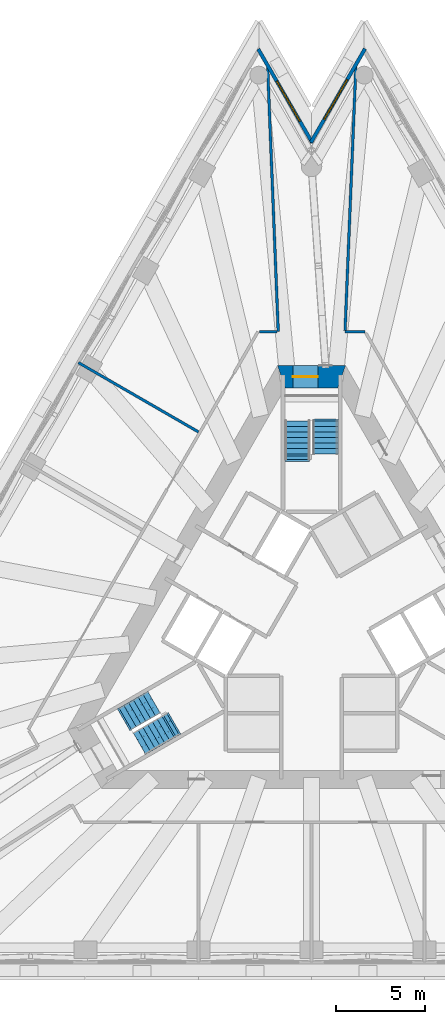
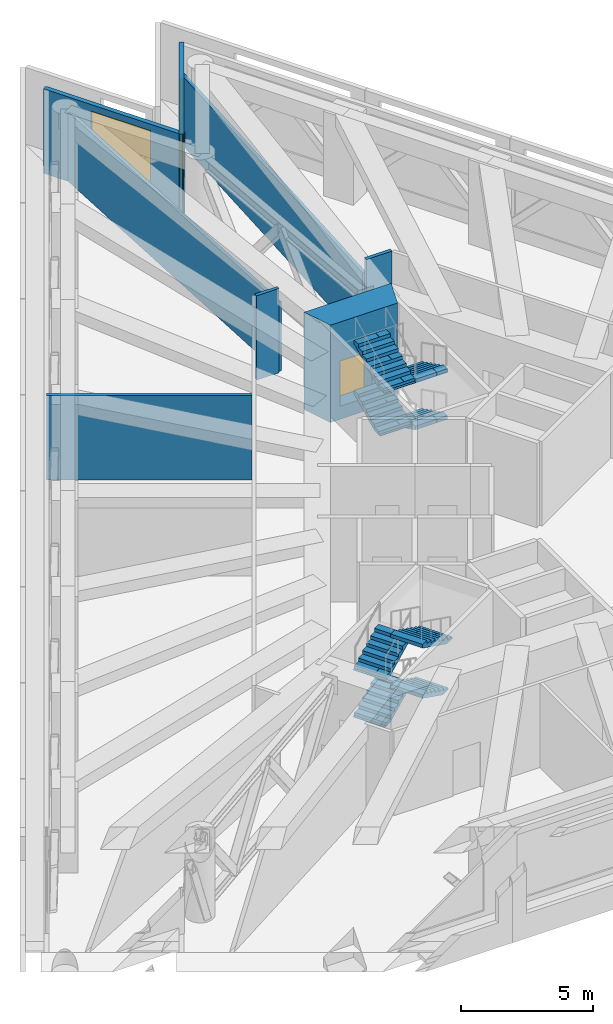
# One storey, part 9 of 12: 8 stair flights, 8 walls, 2 windows, 1 door, 3 openings, 2 elements without a shape of their own.
"""IFC4 building model written with IfcOpenShell, lengths in metres."""

import ifcopenshell
import ifcopenshell.guid

model = None  # the IFC model being written
_history = None  # IfcOwnerHistory: only IFC2X3 demands one
_inside = {}  # id of a spatial element -> (the spatial element, [elements in it])
_under = {}  # id of a project, library or spatial element -> (it, [spatial elements below it])
_declared = {}  # id of a project -> (the project, [libraries it declares])
_typed = {}  # id of a type object -> (the type object, [elements of that type])
_made_of = {}  # id of a material, layer set ... -> (it, [elements and type objects made of it])


def new_model(schema):
    """Start an empty IFC model of exactly this schema.

    Asked for "IFC4X3", IfcOpenShell would pick the latest addendum, in which some entities
    have other attributes; the version numbers below select the first issue.
    IFC2X3 requires an IfcOwnerHistory on every rooted entity: one is made here for all.
    """
    global model, _history
    if schema == "IFC4X3":
        model = ifcopenshell.file(schema_version=(4, 3, 0, 0))
    else:
        model = ifcopenshell.file(schema=schema)
    _inside.clear()
    _under.clear()
    _declared.clear()
    _typed.clear()
    _made_of.clear()
    _history = None
    if model.schema == "IFC2X3":
        org = make("IfcOrganization", Name="unknown")
        user = make(
            "IfcPersonAndOrganization",
            ThePerson=make("IfcPerson", FamilyName="unknown"),
            TheOrganization=org,
        )
        app = make(
            "IfcApplication",
            ApplicationDeveloper=org,
            Version="unknown",
            ApplicationFullName="unknown",
            ApplicationIdentifier="unknown",
        )
        _history = make(
            "IfcOwnerHistory",
            OwningUser=user,
            OwningApplication=app,
            ChangeAction="ADDED",
            CreationDate=0,
        )
    return model


def make(cls, **values):
    """One entity of the class cls with the attributes given. An attribute that is None is left unset."""
    return model.create_entity(
        cls, **{name: value for name, value in values.items() if value is not None}
    )


def rooted(cls, **values):
    """An entity with a GlobalId (a new one), such as an element, a storey or a relation."""
    return make(cls, GlobalId=ifcopenshell.guid.new(), OwnerHistory=_history, **values)


def si_unit(unit_type, name, prefix=None):
    """IfcSIUnit, for example si_unit("LENGTHUNIT", "METRE", prefix="MILLI")."""
    return make("IfcSIUnit", UnitType=unit_type, Prefix=prefix, Name=name)


def assignment(units):
    """IfcUnitAssignment: the units of a project."""
    return None if units is None else make("IfcUnitAssignment", Units=units)


def point(xyz):
    """IfcCartesianPoint."""
    return None if xyz is None else make("IfcCartesianPoint", Coordinates=xyz)


def direction(xyz):
    """IfcDirection."""
    return None if xyz is None else make("IfcDirection", DirectionRatios=xyz)


def frame(location, z_axis=None, x_axis=None):
    """IfcAxis2Placement3D, a coordinate frame: its origin and axes. An axis left out is left unset."""
    return make(
        "IfcAxis2Placement3D",
        Location=point(location),
        Axis=direction(z_axis),
        RefDirection=direction(x_axis),
    )


def frame_2d(location, x_axis=None):
    """IfcAxis2Placement2D, a coordinate frame in the plane: its origin and x axis."""
    return make(
        "IfcAxis2Placement2D", Location=point(location), RefDirection=direction(x_axis)
    )


def origin():
    """The frame at (0, 0, 0) with its axes left unset."""
    return frame((0.0, 0.0, 0.0))


def place(relative_to, where):
    """IfcLocalPlacement: puts the frame where relative to a parent placement (None: the world)."""
    return make(
        "IfcLocalPlacement", PlacementRelTo=relative_to, RelativePlacement=where
    )


def context(
    kind, dimensions, precision=None, world=None, true_north=None, identifier=None
):
    """IfcGeometricRepresentationContext, for example the 3D "Model" context."""
    return make(
        "IfcGeometricRepresentationContext",
        ContextIdentifier=identifier,
        ContextType=kind,
        CoordinateSpaceDimension=dimensions,
        Precision=precision,
        WorldCoordinateSystem=world,
        TrueNorth=true_north,
    )


def subcontext(parent, identifier, kind, view, scale=None):
    """IfcGeometricRepresentationSubContext, for example "Body" below "Model"."""
    return make(
        "IfcGeometricRepresentationSubContext",
        ContextIdentifier=identifier,
        ContextType=kind,
        ParentContext=parent,
        TargetScale=scale,
        TargetView=view,
    )


def project(units=None, contexts=None):
    """IfcProject with its units and contexts."""
    return rooted(
        "IfcProject",
        Name="project",
        RepresentationContexts=contexts,
        UnitsInContext=assignment(units),
    )


def spatial(cls, under=None, at=None, **own):
    """A site, building, storey or space (cls), placed at a placement, below another one or the project."""
    s = rooted(cls, ObjectPlacement=at, **own)
    if under is not None:
        _under.setdefault(under.id(), (under, []))[1].append(s)
    return s


def polyline(points):
    """IfcPolyline through the points."""
    return make("IfcPolyline", Points=[point(p) for p in points])


def profile(cls, at=None, kind="AREA", **sizes):
    """A parametric profile (cls). Its sizes go by their IFC names, for example OverallWidth=200.0."""
    return make(cls, ProfileType=kind, Position=at, **sizes)


def rectangle(**sizes):
    """IfcRectangleProfileDef."""
    return profile("IfcRectangleProfileDef", **sizes)


def outline(outer, holes=None, kind="AREA"):
    """IfcArbitraryClosedProfileDef: a profile drawn as a closed curve; with holes, ...WithVoids."""
    if holes is None:
        return make("IfcArbitraryClosedProfileDef", ProfileType=kind, OuterCurve=outer)
    return make(
        "IfcArbitraryProfileDefWithVoids",
        ProfileType=kind,
        OuterCurve=outer,
        InnerCurves=holes,
    )


def extrude(swept, where, along, depth):
    """IfcExtrudedAreaSolid: the profile swept, set in the frame where, extruded along a direction by depth."""
    return make(
        "IfcExtrudedAreaSolid",
        SweptArea=swept,
        Position=where,
        ExtrudedDirection=direction(along),
        Depth=depth,
    )


def shape(context_of_items, identifier, shape_type, items):
    """IfcShapeRepresentation: the items that make up one representation, for example the "Body"."""
    return make(
        "IfcShapeRepresentation",
        ContextOfItems=context_of_items,
        RepresentationIdentifier=identifier,
        RepresentationType=shape_type,
        Items=items,
    )


def material(Name=None, Category=None):
    """IfcMaterial."""
    return make("IfcMaterial", Name=Name, Category=Category)


def layer(
    of_material, thickness, ventilated=None, Name=None, Category=None, Priority=None
):
    """IfcMaterialLayer: one layer of a wall or slab, of a material (None: an air gap)."""
    return make(
        "IfcMaterialLayer",
        Material=of_material,
        LayerThickness=thickness,
        IsVentilated=ventilated,
        Name=Name,
        Category=Category,
        Priority=Priority,
    )


def layer_set(layers, Name=None):
    """IfcMaterialLayerSet."""
    return make("IfcMaterialLayerSet", MaterialLayers=layers, LayerSetName=Name)


def layer_usage(for_layer_set, set_direction, sense, offset, extent=None):
    """IfcMaterialLayerSetUsage: how a layer set lies in its element."""
    return make(
        "IfcMaterialLayerSetUsage",
        ForLayerSet=for_layer_set,
        LayerSetDirection=set_direction,
        DirectionSense=sense,
        OffsetFromReferenceLine=offset,
        ReferenceExtent=extent,
    )


def made_of(thing, what):
    """Note that an element or type object is made of a material, layer set ...; save() writes the relation."""
    if what is not None:
        _made_of.setdefault(what.id(), (what, []))[1].append(thing)
    return thing


def type_object(cls, material=None, **own):
    """A type object (cls), such as IfcWallType, which elements share."""
    return made_of(rooted(cls, **own), material)


def element(
    cls,
    number,
    at=None,
    inside=None,
    cuts=None,
    type_object=None,
    material=None,
    context=None,
    identifier="Body",
    shape_type=None,
    held_by="IfcProductDefinitionShape",
    body=None,
    shapes=None,
    **own,
):
    """One element of the class cls, such as IfcWall. Its Tag is "e" and its number.

    at: its placement. inside: the storey or other place that contains it. cuts: it is an
    opening in that element (IfcRelVoidsElement). A single representation is given by context,
    identifier, shape_type and body (its items); several are given by shapes. held_by: the class
    of the entity that holds the representations. save() writes the other relations.
    """
    e = rooted(cls, Tag="e%d" % number, ObjectPlacement=at, **own)
    if body is not None:
        shapes = [shape(context, identifier, shape_type, body)]
    if shapes is not None:
        e.Representation = make(held_by, Representations=shapes)
    if inside is not None:
        _inside.setdefault(inside.id(), (inside, []))[1].append(e)
    if cuts is not None:
        rooted(
            "IfcRelVoidsElement", RelatingBuildingElement=cuts, RelatedOpeningElement=e
        )
    if type_object is not None:
        _typed.setdefault(type_object.id(), (type_object, []))[1].append(e)
    return made_of(e, material)


def fill(opening, filler):
    """IfcRelFillsElement: the door or window that sits in an opening."""
    return rooted(
        "IfcRelFillsElement",
        RelatingOpeningElement=opening,
        RelatedBuildingElement=filler,
    )


def aggregate(whole, parts):
    """IfcRelAggregates: a whole, such as a stair, and the parts it consists of."""
    return rooted("IfcRelAggregates", RelatingObject=whole, RelatedObjects=parts)


def save(model, path):
    """Write the relations noted so far, then the file.

    IfcRelAggregates (storeys below a building ...), IfcRelContainedInSpatialStructure (elements
    in a storey), IfcRelDefinesByType, IfcRelAssociatesMaterial and IfcRelDeclares: one each for
    every whole, place, type object, material and project.
    """
    for whole, parts in _under.values():
        aggregate(whole, parts)
    for where, things in _inside.values():
        rooted(
            "IfcRelContainedInSpatialStructure",
            RelatedElements=things,
            RelatingStructure=where,
        )
    for kind, things in _typed.values():
        rooted("IfcRelDefinesByType", RelatedObjects=things, RelatingType=kind)
    for what, things in _made_of.values():
        rooted("IfcRelAssociatesMaterial", RelatedObjects=things, RelatingMaterial=what)
    for by, libraries in _declared.values():
        rooted("IfcRelDeclares", RelatingContext=by, RelatedDefinitions=libraries)
    model.write(path)


model = new_model("IFC4")

# Units and contexts
model_context = context("Model", 3, precision=1e-05, world=origin(), true_north=direction((0.0, 1.0)))
body_context = subcontext(model_context, "Body", "Model", "MODEL_VIEW")
ifc_project = project(units=[si_unit("LENGTHUNIT", "METRE"), si_unit("AREAUNIT", "SQUARE_METRE"), si_unit("VOLUMEUNIT", "CUBIC_METRE"), si_unit("PLANEANGLEUNIT", "RADIAN"), si_unit("MASSUNIT", "GRAM", prefix="KILO")], contexts=[model_context])

# Site, building, storey
site_placement = place(None, origin())
site = spatial("IfcSite", under=ifc_project, at=site_placement, CompositionType="ELEMENT")
building_placement = place(site_placement, origin())
building = spatial("IfcBuilding", under=site, at=building_placement, Name="Triada Interchange Tower", CompositionType="ELEMENT")
storey_placement = place(building_placement, frame((0.0, 0.0, 180.800048828125)))
storey = spatial("IfcBuildingStorey", under=building, at=storey_placement, Name="L42", CompositionType="ELEMENT", Elevation=180.800048828125)

# Wall, opening, door
ifc_material_1 = material(Name="Concrete C60/75", Category="concrete")
ifc_layer_1 = layer(ifc_material_1, 1.25)
ifc_layer_set_1 = layer_set([ifc_layer_1], Name="Core wall B 1250")
wall_type_1 = type_object("IfcWallType", Name="Core wall B 1250", PredefinedType="SHEAR", material=ifc_layer_set_1)
wall_1_placement = place(storey_placement, frame((1.68896484375, 14.074951171875, -0.60009765625), z_axis=(0.0, 0.0, 1.0), x_axis=(-1.0, 0.0, 0.0)))
wall_1 = element("IfcWall", 1, at=wall_1_placement, inside=storey, type_object=wall_type_1, Name="Core wall WB01 L42", PredefinedType="SHEAR", context=body_context, shape_type="SweptSolid", body=[
    extrude(outline(polyline([(-0.216064453125, -0.625), (1.68896484375, -0.625), (3.593994140625, -0.625), (3.160888671875, 0.625), (1.68896484375, 0.625), (0.217041015625, 0.625), (-0.216064453125, -0.625)])), origin(), (0.0, 0.0, 1.0), 4.5),
])
opening_1_placement = place(wall_1_placement, frame((1.3359375, 0.0, 0.60009765625)))
opening_1 = element("IfcOpeningElement", 2, at=opening_1_placement, cuts=wall_1, Name="Opening D42-15", PredefinedType="OPENING", context=body_context, shape_type="SweptSolid", body=[
    extrude(rectangle(XDim=1.39990234375, YDim=2.10009765625, at=frame_2d((0.699951171875, 1.050048828125))), frame((0.0, 0.635009765625, 0.0), z_axis=(0.0, -1.0, 0.0), x_axis=(1.0, 0.0, 0.0)), (0.0, 0.0, 1.0), 1.27001953125),
])
ifc_material_2 = material(Name="Steel S235 door leaf", Category="steel")
door_type = type_object("IfcDoorType", Name="STAIR DOOR 1400 EI2 90-C5S200", OperationType="DOUBLE_DOOR_SINGLE_SWING", PredefinedType="DOOR", material=ifc_material_2)
door_placement = place(opening_1_placement, origin())
door = element("IfcDoor", 3, at=door_placement, inside=storey, type_object=door_type, Name="Door D42-15 L42", OperationType="DOUBLE_DOOR_SINGLE_SWING", OverallHeight=2.10009765625, OverallWidth=1.39990234375, PredefinedType="DOOR", context=body_context, shape_type="SweptSolid", body=[
    extrude(rectangle(XDim=1.39990234375, YDim=2.10009765625, at=frame_2d((0.699951171875, 1.050048828125))), frame((0.0, 0.02490234375, 0.0), z_axis=(0.0, -1.0, 0.0), x_axis=(1.0, 0.0, 0.0)), (0.0, 0.0, 1.0), 0.050048828125),
])
fill(opening_1, door)

# Wall, opening, window
ifc_material_3 = material(Name="Cement board")
ifc_layer_2 = layer(ifc_material_3, 0.02001953125, Name="Cement board cladding")
ifc_material_4 = material(Name="Sheathing board")
ifc_layer_3 = layer(ifc_material_4, 0.014892578125, Name="Sheathing board")
ifc_material_5 = material(Name="Mineral wool")
ifc_layer_4 = layer(ifc_material_5, 0.14990234375, Name="Mineral wool between steel studs")
ifc_material_6 = material(Name="Gypsum board")
ifc_layer_5 = layer(ifc_material_6, 0.014892578125, Name="Plasterboard lining")
ifc_layer_set_2 = layer_set([ifc_layer_2, ifc_layer_3, ifc_layer_4, ifc_layer_5], Name="External wall 200")
ifc_layer_usage = layer_usage(ifc_layer_set_2, "AXIS2", "POSITIVE", -0.10009765625)
wall_type_2 = type_object("IfcWallType", Name="External wall 200", PredefinedType="ELEMENTEDWALL", material=ifc_layer_set_2)
wall_2_placement = place(storey_placement, frame((2.9990234375, 32.462890625, 0.0), z_axis=(0.0, 0.0, 1.0), x_axis=(-0.499933722365, -0.866063665814, 0.0)))
wall_2 = element("IfcWall", 4, at=wall_2_placement, inside=storey, type_object=wall_type_2, material=ifc_layer_usage, Name="External wall L42 N-1", PredefinedType="ELEMENTEDWALL", context=body_context, shape_type="SweptSolid", body=[
    extrude(rectangle(XDim=6.068603515625, YDim=0.199951171875, at=frame_2d((3.0341796875, 0.0))), origin(), (0.0, 0.0, 1.0), 3.89990234375),
])
opening_2_placement = place(wall_2_placement, frame((1.989990234375, 0.0, 0.60009765625)))
opening_2 = element("IfcOpeningElement", 5, at=opening_2_placement, cuts=wall_2, Name="Opening LB29", PredefinedType="OPENING", context=body_context, shape_type="SweptSolid", body=[
    extrude(rectangle(XDim=2.60009765625, YDim=3.0, at=frame_2d((1.300048828125, 1.5))), frame((0.0, 0.10986328125, 0.0), z_axis=(0.0, -1.0, 0.0), x_axis=(1.0, 0.0, 0.0)), (0.0, 0.0, 1.0), 0.219970703125),
])
ifc_material_7 = material(Name="Aluminium louvre", Category="aluminium")
window_type = type_object("IfcWindowType", Name="Plant louvre B pocket", PartitioningType="SINGLE_PANEL", PredefinedType="WINDOW", material=ifc_material_7)
window_1_placement = place(opening_2_placement, origin())
window_1 = element("IfcWindow", 6, at=window_1_placement, inside=storey, type_object=window_type, Name="Louvre L42 N-1 1", OverallHeight=3.0, OverallWidth=2.60009765625, PartitioningType="SINGLE_PANEL", PredefinedType="WINDOW", context=body_context, shape_type="SweptSolid", body=[
    extrude(rectangle(XDim=2.60009765625, YDim=3.0, at=frame_2d((1.300048828125, 1.5))), frame((0.0, 0.030029296875, 0.0), z_axis=(0.0, -1.0, 0.0), x_axis=(1.0, 0.0, 0.0)), (0.0, 0.0, 1.0), 0.06005859375),
])
fill(opening_2, window_1)

wall_3_placement = place(storey_placement, frame((0.044921875, 27.18994140625, 0.0), z_axis=(0.0, 0.0, 1.0), x_axis=(-0.499916304465, 0.866073720032, 0.0)))
wall_3 = element("IfcWall", 7, at=wall_3_placement, inside=storey, type_object=wall_type_2, material=ifc_layer_usage, Name="External wall L42 N-2", PredefinedType="ELEMENTEDWALL", context=body_context, shape_type="SweptSolid", body=[
    extrude(rectangle(XDim=6.06884765625, YDim=0.199951171875, at=frame_2d((3.034423828125, 0.0))), origin(), (0.0, 0.0, 1.0), 3.89990234375),
])
opening_3_placement = place(wall_3_placement, frame((1.389892578125, 0.0, 0.60009765625)))
opening_3 = element("IfcOpeningElement", 8, at=opening_3_placement, cuts=wall_3, Name="Opening LB30", PredefinedType="OPENING", context=body_context, shape_type="SweptSolid", body=[
    extrude(rectangle(XDim=2.60009765625, YDim=3.0, at=frame_2d((1.300048828125, 1.5))), frame((0.0, 0.10986328125, 0.0), z_axis=(0.0, -1.0, 0.0), x_axis=(1.0, 0.0, 0.0)), (0.0, 0.0, 1.0), 0.219970703125),
])
window_2_placement = place(opening_3_placement, origin())
window_2 = element("IfcWindow", 9, at=window_2_placement, inside=storey, type_object=window_type, Name="Louvre L42 N-2 1", OverallHeight=3.0, OverallWidth=2.60009765625, PartitioningType="SINGLE_PANEL", PredefinedType="WINDOW", context=body_context, shape_type="SweptSolid", body=[
    extrude(rectangle(XDim=2.60009765625, YDim=3.0, at=frame_2d((1.300048828125, 1.5))), frame((0.0, 0.030029296875, 0.0), z_axis=(0.0, -1.0, 0.0), x_axis=(1.0, 0.0, 0.0)), (0.0, 0.0, 1.0), 0.06005859375),
])
fill(opening_3, window_2)

# Walls
ifc_material_8 = material(Name="Gypsum board partition")
ifc_layer_6 = layer(ifc_material_8, 0.14990234375)
ifc_layer_set_3 = layer_set([ifc_layer_6], Name="PARTITION 150 EI 180")
wall_type_3 = type_object("IfcWallType", Name="PARTITION 150 EI 180", PredefinedType="PARTITIONING", material=ifc_layer_set_3)
wall_4_placement = place(storey_placement, frame((-13.069091796875, 14.864990234375, 0.0), z_axis=(0.0, 0.0, 1.0), x_axis=(0.8660261172, -0.499998764326, 0.0)))
element("IfcWall", 10, at=wall_4_placement, inside=storey, type_object=wall_type_3, Name="Wall L42 8", PredefinedType="PARTITIONING", context=body_context, shape_type="SweptSolid", body=[
    extrude(rectangle(XDim=7.77587890625, YDim=0.14990234375, at=frame_2d((3.887939453125, 0.0))), origin(), (0.0, 0.0, 1.0), 3.89990234375),
])
wall_5_placement = place(storey_placement, frame((-2.464111328125, 31.537109375, 0.0), z_axis=(0.0, 0.0, 1.0), x_axis=(0.040012389266, -0.999199183699, 0.0)))
element("IfcWall", 11, at=wall_5_placement, inside=storey, type_object=wall_type_3, Name="Wall L42 10", PredefinedType="PARTITIONING", context=body_context, shape_type="SweptSolid", body=[
    extrude(rectangle(XDim=14.948974609375, YDim=0.14990234375, at=frame_2d((7.474609375, 0.0))), origin(), (0.0, 0.0, 1.0), 3.199951171875),
])
wall_6_placement = place(storey_placement, frame((-2.916015625, 16.60009765625, 0.0), z_axis=(0.0, 0.0, 1.0), x_axis=(1.0, 0.0, 0.0)))
element("IfcWall", 12, at=wall_6_placement, inside=storey, type_object=wall_type_3, Name="Wall L42 11", PredefinedType="PARTITIONING", context=body_context, shape_type="SweptSolid", body=[
    extrude(rectangle(XDim=0.97509765625, YDim=0.14990234375, at=frame_2d((0.487548828125, 0.0))), origin(), (0.0, 0.0, 1.0), 3.89990234375),
])
wall_7_placement = place(storey_placement, frame((1.87890625, 16.60009765625, 0.0), z_axis=(0.0, 0.0, 1.0), x_axis=(1.0, 0.0, 0.0)))
element("IfcWall", 13, at=wall_7_placement, inside=storey, type_object=wall_type_3, Name="Wall L42 12", PredefinedType="PARTITIONING", context=body_context, shape_type="SweptSolid", body=[
    extrude(rectangle(XDim=1.123046875, YDim=0.14990234375, at=frame_2d((0.5615234375, 0.0))), origin(), (0.0, 0.0, 1.0), 3.89990234375),
])
wall_8_placement = place(storey_placement, frame((1.882080078125, 16.675048828125, 0.0), z_axis=(0.0, 0.0, 1.0), x_axis=(0.040871709395, 0.999164402574, 0.0)))
element("IfcWall", 14, at=wall_8_placement, inside=storey, type_object=wall_type_3, Name="Wall L42 15", PredefinedType="PARTITIONING", context=body_context, shape_type="SweptSolid", body=[
    extrude(rectangle(XDim=14.92138671875, YDim=0.14990234375, at=frame_2d((7.460693359375, 0.0))), origin(), (0.0, 0.0, 1.0), 3.199951171875),
])

# Stair, stair flights
ifc_material_9 = material(Name="Concrete C35/45", Category="concrete")
stair_type = type_object("IfcStairType", Name="HALF TURN STAIR 1400", PredefinedType="HALF_TURN_STAIR", material=ifc_material_9)
stair_1_placement = place(storey_placement, origin())
stair_1 = element("IfcStair", 15, at=stair_1_placement, inside=storey, type_object=stair_type, Name="Exit stair S42-1", PredefinedType="HALF_TURN_STAIR")
stair_flight_type = type_object("IfcStairFlightType", Name="STRAIGHT STAIR FLIGHT 1400", PredefinedType="STRAIGHT", material=ifc_material_9)
stair_flight_1_placement = place(storey_placement, frame((0.800048828125, 11.60009765625, 0.0), z_axis=(0.0, 0.0, 1.0), x_axis=(0.0, -1.0, 0.0)))
stair_flight_1 = element("IfcStairFlight", 16, at=stair_flight_1_placement, type_object=stair_flight_type, Name="S42-1 flight 1", NumberOfRisers=7, NumberOfTreads=6, PredefinedType="STRAIGHT", RiserHeight=0.15517, TreadLength=0.31, context=body_context, shape_type="SweptSolid", body=[
    extrude(outline(polyline([(-0.10009765625, 0.0), (-0.10009765625, 0.02001953125), (0.0, 0.02001953125), (0.0, 0.1552734375), (0.31005859375, 0.1552734375), (0.31005859375, 0.310302734375), (0.6201171875, 0.310302734375), (0.6201171875, 0.465576171875), (0.929931640625, 0.465576171875), (0.929931640625, 0.62060546875), (1.239990234375, 0.62060546875), (1.239990234375, 0.77587890625), (1.550048828125, 0.77587890625), (1.550048828125, 0.930908203125), (1.860107421875, 0.930908203125), (1.864013671875, 0.930908203125), (1.864013671875, 1.086181640625), (1.864013671875, 0.763427734375), (0.3349609375, 0.0), (-0.10009765625, 0.0)])), frame((0.0, 0.699951171875, 0.0), z_axis=(0.0, -1.0, 0.0), x_axis=(1.0, 0.0, 0.0)), (0.0, 0.0, 1.0), 0.46533203125),
    extrude(outline(polyline([(-0.10009765625, 0.0), (-0.10009765625, 0.02001953125), (0.0, 0.02001953125), (0.0, 0.1552734375), (0.31005859375, 0.1552734375), (0.31005859375, 0.310302734375), (0.6201171875, 0.310302734375), (0.6201171875, 0.465576171875), (0.929931640625, 0.465576171875), (0.929931640625, 0.62060546875), (1.239990234375, 0.62060546875), (1.239990234375, 0.77587890625), (1.550048828125, 0.77587890625), (1.550048828125, 0.930908203125), (1.860107421875, 0.930908203125), (1.864013671875, 0.930908203125), (1.864013671875, 1.086181640625), (1.864013671875, 0.763427734375), (0.3349609375, 0.0), (-0.10009765625, 0.0)])), frame((0.0, 0.232666015625, 0.0), z_axis=(0.0, -1.0, 0.0), x_axis=(1.0, 0.0, 0.0)), (0.0, 0.0, 1.0), 0.46533203125),
    extrude(outline(polyline([(-0.10009765625, 0.0), (-0.10009765625, 0.02001953125), (0.0, 0.02001953125), (0.0, 0.1552734375), (0.31005859375, 0.1552734375), (0.31005859375, 0.310302734375), (0.6201171875, 0.310302734375), (0.6201171875, 0.465576171875), (0.929931640625, 0.465576171875), (0.929931640625, 0.62060546875), (1.239990234375, 0.62060546875), (1.239990234375, 0.77587890625), (1.550048828125, 0.77587890625), (1.550048828125, 0.930908203125), (1.860107421875, 0.930908203125), (1.864013671875, 0.930908203125), (1.864013671875, 1.086181640625), (1.864013671875, 0.763427734375), (0.3349609375, 0.0), (-0.10009765625, 0.0)])), frame((0.0, -0.234619140625, 0.0), z_axis=(0.0, -1.0, 0.0), x_axis=(1.0, 0.0, 0.0)), (0.0, 0.0, 1.0), 0.46533203125),
])
stair_flight_2_placement = place(storey_placement, frame((-0.800048828125, 9.739990234375, 1.086181640625), z_axis=(0.0, 0.0, 1.0), x_axis=(0.0, 1.0, 0.0)))
stair_flight_2 = element("IfcStairFlight", 17, at=stair_flight_2_placement, type_object=stair_flight_type, Name="S42-1 flight 2", NumberOfRisers=7, NumberOfTreads=6, PredefinedType="STRAIGHT", RiserHeight=0.15517, TreadLength=0.31, context=body_context, shape_type="SweptSolid", body=[
    extrude(outline(polyline([(-0.10009765625, 0.0), (-0.10009765625, 0.02001953125), (0.0, 0.02001953125), (0.0, 0.1552734375), (0.31005859375, 0.1552734375), (0.31005859375, 0.310302734375), (0.6201171875, 0.310302734375), (0.6201171875, 0.465576171875), (0.929931640625, 0.465576171875), (0.929931640625, 0.62060546875), (1.239990234375, 0.62060546875), (1.239990234375, 0.77587890625), (1.550048828125, 0.77587890625), (1.550048828125, 0.930908203125), (1.860107421875, 0.930908203125), (1.864013671875, 0.930908203125), (1.864013671875, 1.086181640625), (1.864013671875, 0.763427734375), (0.3349609375, 0.0), (-0.10009765625, 0.0)])), frame((0.0, 0.699951171875, 0.0), z_axis=(0.0, -1.0, 0.0), x_axis=(1.0, 0.0, 0.0)), (0.0, 0.0, 1.0), 0.46533203125),
    extrude(outline(polyline([(-0.10009765625, 0.0), (-0.10009765625, 0.02001953125), (0.0, 0.02001953125), (0.0, 0.1552734375), (0.31005859375, 0.1552734375), (0.31005859375, 0.310302734375), (0.6201171875, 0.310302734375), (0.6201171875, 0.465576171875), (0.929931640625, 0.465576171875), (0.929931640625, 0.62060546875), (1.239990234375, 0.62060546875), (1.239990234375, 0.77587890625), (1.550048828125, 0.77587890625), (1.550048828125, 0.930908203125), (1.860107421875, 0.930908203125), (1.864013671875, 0.930908203125), (1.864013671875, 1.086181640625), (1.864013671875, 0.763427734375), (0.3349609375, 0.0), (-0.10009765625, 0.0)])), frame((0.0, 0.232666015625, 0.0), z_axis=(0.0, -1.0, 0.0), x_axis=(1.0, 0.0, 0.0)), (0.0, 0.0, 1.0), 0.46533203125),
    extrude(outline(polyline([(-0.10009765625, 0.0), (-0.10009765625, 0.02001953125), (0.0, 0.02001953125), (0.0, 0.1552734375), (0.31005859375, 0.1552734375), (0.31005859375, 0.310302734375), (0.6201171875, 0.310302734375), (0.6201171875, 0.465576171875), (0.929931640625, 0.465576171875), (0.929931640625, 0.62060546875), (1.239990234375, 0.62060546875), (1.239990234375, 0.77587890625), (1.550048828125, 0.77587890625), (1.550048828125, 0.930908203125), (1.860107421875, 0.930908203125), (1.864013671875, 0.930908203125), (1.864013671875, 1.086181640625), (1.864013671875, 0.763427734375), (0.3349609375, 0.0), (-0.10009765625, 0.0)])), frame((0.0, -0.234619140625, 0.0), z_axis=(0.0, -1.0, 0.0), x_axis=(1.0, 0.0, 0.0)), (0.0, 0.0, 1.0), 0.46533203125),
])
stair_flight_3_placement = place(storey_placement, frame((0.800048828125, 11.60009765625, 2.17236328125), z_axis=(0.0, 0.0, 1.0), x_axis=(0.0, -1.0, 0.0)))
stair_flight_3 = element("IfcStairFlight", 18, at=stair_flight_3_placement, type_object=stair_flight_type, Name="S42-1 flight 3", NumberOfRisers=7, NumberOfTreads=6, PredefinedType="STRAIGHT", RiserHeight=0.15517, TreadLength=0.31, context=body_context, shape_type="SweptSolid", body=[
    extrude(outline(polyline([(-0.10009765625, 0.0), (-0.10009765625, 0.02001953125), (0.0, 0.02001953125), (0.0, 0.1552734375), (0.31005859375, 0.1552734375), (0.31005859375, 0.310302734375), (0.6201171875, 0.310302734375), (0.6201171875, 0.465576171875), (0.929931640625, 0.465576171875), (0.929931640625, 0.62060546875), (1.239990234375, 0.62060546875), (1.239990234375, 0.77587890625), (1.550048828125, 0.77587890625), (1.550048828125, 0.930908203125), (1.860107421875, 0.930908203125), (1.864013671875, 0.930908203125), (1.864013671875, 1.086181640625), (1.864013671875, 0.763427734375), (0.3349609375, 0.0), (-0.10009765625, 0.0)])), frame((0.0, 0.699951171875, 0.0), z_axis=(0.0, -1.0, 0.0), x_axis=(1.0, 0.0, 0.0)), (0.0, 0.0, 1.0), 0.46533203125),
    extrude(outline(polyline([(-0.10009765625, 0.0), (-0.10009765625, 0.02001953125), (0.0, 0.02001953125), (0.0, 0.1552734375), (0.31005859375, 0.1552734375), (0.31005859375, 0.310302734375), (0.6201171875, 0.310302734375), (0.6201171875, 0.465576171875), (0.929931640625, 0.465576171875), (0.929931640625, 0.62060546875), (1.239990234375, 0.62060546875), (1.239990234375, 0.77587890625), (1.550048828125, 0.77587890625), (1.550048828125, 0.930908203125), (1.860107421875, 0.930908203125), (1.864013671875, 0.930908203125), (1.864013671875, 1.086181640625), (1.864013671875, 0.763427734375), (0.3349609375, 0.0), (-0.10009765625, 0.0)])), frame((0.0, 0.232666015625, 0.0), z_axis=(0.0, -1.0, 0.0), x_axis=(1.0, 0.0, 0.0)), (0.0, 0.0, 1.0), 0.46533203125),
    extrude(outline(polyline([(-0.10009765625, 0.0), (-0.10009765625, 0.02001953125), (0.0, 0.02001953125), (0.0, 0.1552734375), (0.31005859375, 0.1552734375), (0.31005859375, 0.310302734375), (0.6201171875, 0.310302734375), (0.6201171875, 0.465576171875), (0.929931640625, 0.465576171875), (0.929931640625, 0.62060546875), (1.239990234375, 0.62060546875), (1.239990234375, 0.77587890625), (1.550048828125, 0.77587890625), (1.550048828125, 0.930908203125), (1.860107421875, 0.930908203125), (1.864013671875, 0.930908203125), (1.864013671875, 1.086181640625), (1.864013671875, 0.763427734375), (0.3349609375, 0.0), (-0.10009765625, 0.0)])), frame((0.0, -0.234619140625, 0.0), z_axis=(0.0, -1.0, 0.0), x_axis=(1.0, 0.0, 0.0)), (0.0, 0.0, 1.0), 0.46533203125),
])
stair_flight_4_placement = place(storey_placement, frame((-0.800048828125, 9.429931640625, 3.258544921875), z_axis=(0.0, 0.0, 1.0), x_axis=(0.0, 1.0, 0.0)))
stair_flight_4 = element("IfcStairFlight", 19, at=stair_flight_4_placement, type_object=stair_flight_type, Name="S42-1 flight 4", NumberOfRisers=8, NumberOfTreads=7, PredefinedType="STRAIGHT", RiserHeight=0.15517, TreadLength=0.31, context=body_context, shape_type="SweptSolid", body=[
    extrude(outline(polyline([(-0.10009765625, 0.0), (-0.10009765625, 0.02001953125), (0.0, 0.02001953125), (0.0, 0.1552734375), (0.31005859375, 0.1552734375), (0.31005859375, 0.310302734375), (0.6201171875, 0.310302734375), (0.6201171875, 0.465576171875), (0.929931640625, 0.465576171875), (0.929931640625, 0.62060546875), (1.239990234375, 0.62060546875), (1.239990234375, 0.77587890625), (1.550048828125, 0.77587890625), (1.550048828125, 0.930908203125), (1.860107421875, 0.930908203125), (1.860107421875, 1.086181640625), (2.169921875, 1.086181640625), (2.174072265625, 1.086181640625), (2.174072265625, 1.241455078125), (2.174072265625, 0.91845703125), (0.3349609375, 0.0), (-0.10009765625, 0.0)])), frame((0.0, 0.699951171875, 0.0), z_axis=(0.0, -1.0, 0.0), x_axis=(1.0, 0.0, 0.0)), (0.0, 0.0, 1.0), 0.46533203125),
    extrude(outline(polyline([(-0.10009765625, 0.0), (-0.10009765625, 0.02001953125), (0.0, 0.02001953125), (0.0, 0.1552734375), (0.31005859375, 0.1552734375), (0.31005859375, 0.310302734375), (0.6201171875, 0.310302734375), (0.6201171875, 0.465576171875), (0.929931640625, 0.465576171875), (0.929931640625, 0.62060546875), (1.239990234375, 0.62060546875), (1.239990234375, 0.77587890625), (1.550048828125, 0.77587890625), (1.550048828125, 0.930908203125), (1.860107421875, 0.930908203125), (1.860107421875, 1.086181640625), (2.169921875, 1.086181640625), (2.174072265625, 1.086181640625), (2.174072265625, 1.241455078125), (2.174072265625, 0.91845703125), (0.3349609375, 0.0), (-0.10009765625, 0.0)])), frame((0.0, 0.232666015625, 0.0), z_axis=(0.0, -1.0, 0.0), x_axis=(1.0, 0.0, 0.0)), (0.0, 0.0, 1.0), 0.46533203125),
    extrude(outline(polyline([(-0.10009765625, 0.0), (-0.10009765625, 0.02001953125), (0.0, 0.02001953125), (0.0, 0.1552734375), (0.31005859375, 0.1552734375), (0.31005859375, 0.310302734375), (0.6201171875, 0.310302734375), (0.6201171875, 0.465576171875), (0.929931640625, 0.465576171875), (0.929931640625, 0.62060546875), (1.239990234375, 0.62060546875), (1.239990234375, 0.77587890625), (1.550048828125, 0.77587890625), (1.550048828125, 0.930908203125), (1.860107421875, 0.930908203125), (1.860107421875, 1.086181640625), (2.169921875, 1.086181640625), (2.174072265625, 1.086181640625), (2.174072265625, 1.241455078125), (2.174072265625, 0.91845703125), (0.3349609375, 0.0), (-0.10009765625, 0.0)])), frame((0.0, -0.234619140625, 0.0), z_axis=(0.0, -1.0, 0.0), x_axis=(1.0, 0.0, 0.0)), (0.0, 0.0, 1.0), 0.46533203125),
])
aggregate(stair_1, [stair_flight_1, stair_flight_2, stair_flight_3, stair_flight_4])

stair_2_placement = place(storey_placement, origin())
stair_2 = element("IfcStair", 20, at=stair_2_placement, inside=storey, type_object=stair_type, Name="Exit stair S42-2", PredefinedType="HALF_TURN_STAIR")
stair_flight_5_placement = place(storey_placement, frame((-10.446044921875, -5.10693359375, 0.0), z_axis=(0.0, 0.0, 1.0), x_axis=(0.866025403784, 0.5, 0.0)))
stair_flight_5 = element("IfcStairFlight", 21, at=stair_flight_5_placement, type_object=stair_flight_type, Name="S42-2 flight 1", NumberOfRisers=7, NumberOfTreads=6, PredefinedType="STRAIGHT", RiserHeight=0.15517, TreadLength=0.31, context=body_context, shape_type="SweptSolid", body=[
    extrude(outline(polyline([(-0.10009765625, 0.0), (-0.10009765625, 0.02001953125), (0.0, 0.02001953125), (0.0, 0.1552734375), (0.31005859375, 0.1552734375), (0.31005859375, 0.310302734375), (0.6201171875, 0.310302734375), (0.6201171875, 0.465576171875), (0.929931640625, 0.465576171875), (0.929931640625, 0.62060546875), (1.239990234375, 0.62060546875), (1.239990234375, 0.77587890625), (1.550048828125, 0.77587890625), (1.550048828125, 0.930908203125), (1.860107421875, 0.930908203125), (1.864013671875, 0.930908203125), (1.864013671875, 1.086181640625), (1.864013671875, 0.763427734375), (0.3349609375, 0.0), (-0.10009765625, 0.0)])), frame((0.0, 0.699951171875, 0.0), z_axis=(0.0, -1.0, 0.0), x_axis=(1.0, 0.0, 0.0)), (0.0, 0.0, 1.0), 0.46533203125),
    extrude(outline(polyline([(-0.10009765625, 0.0), (-0.10009765625, 0.02001953125), (0.0, 0.02001953125), (0.0, 0.1552734375), (0.31005859375, 0.1552734375), (0.31005859375, 0.310302734375), (0.6201171875, 0.310302734375), (0.6201171875, 0.465576171875), (0.929931640625, 0.465576171875), (0.929931640625, 0.62060546875), (1.239990234375, 0.62060546875), (1.239990234375, 0.77587890625), (1.550048828125, 0.77587890625), (1.550048828125, 0.930908203125), (1.860107421875, 0.930908203125), (1.864013671875, 0.930908203125), (1.864013671875, 1.086181640625), (1.864013671875, 0.763427734375), (0.3349609375, 0.0), (-0.10009765625, 0.0)])), frame((0.0, 0.232666015625, 0.0), z_axis=(0.0, -1.0, 0.0), x_axis=(1.0, 0.0, 0.0)), (0.0, 0.0, 1.0), 0.46533203125),
    extrude(outline(polyline([(-0.10009765625, 0.0), (-0.10009765625, 0.02001953125), (0.0, 0.02001953125), (0.0, 0.1552734375), (0.31005859375, 0.1552734375), (0.31005859375, 0.310302734375), (0.6201171875, 0.310302734375), (0.6201171875, 0.465576171875), (0.929931640625, 0.465576171875), (0.929931640625, 0.62060546875), (1.239990234375, 0.62060546875), (1.239990234375, 0.77587890625), (1.550048828125, 0.77587890625), (1.550048828125, 0.930908203125), (1.860107421875, 0.930908203125), (1.864013671875, 0.930908203125), (1.864013671875, 1.086181640625), (1.864013671875, 0.763427734375), (0.3349609375, 0.0), (-0.10009765625, 0.0)])), frame((0.0, -0.234619140625, 0.0), z_axis=(0.0, -1.0, 0.0), x_axis=(1.0, 0.0, 0.0)), (0.0, 0.0, 1.0), 0.46533203125),
])
stair_flight_6_placement = place(storey_placement, frame((-8.034912109375, -5.56298828125, 1.086181640625), z_axis=(0.0, 0.0, 1.0), x_axis=(-0.866025403784, -0.5, 0.0)))
stair_flight_6 = element("IfcStairFlight", 22, at=stair_flight_6_placement, type_object=stair_flight_type, Name="S42-2 flight 2", NumberOfRisers=7, NumberOfTreads=6, PredefinedType="STRAIGHT", RiserHeight=0.15517, TreadLength=0.31, context=body_context, shape_type="SweptSolid", body=[
    extrude(outline(polyline([(-0.10009765625, 0.0), (-0.10009765625, 0.02001953125), (0.0, 0.02001953125), (0.0, 0.1552734375), (0.31005859375, 0.1552734375), (0.31005859375, 0.310302734375), (0.6201171875, 0.310302734375), (0.6201171875, 0.465576171875), (0.929931640625, 0.465576171875), (0.929931640625, 0.62060546875), (1.239990234375, 0.62060546875), (1.239990234375, 0.77587890625), (1.550048828125, 0.77587890625), (1.550048828125, 0.930908203125), (1.860107421875, 0.930908203125), (1.864013671875, 0.930908203125), (1.864013671875, 1.086181640625), (1.864013671875, 0.763427734375), (0.3349609375, 0.0), (-0.10009765625, 0.0)])), frame((0.0, 0.699951171875, 0.0), z_axis=(0.0, -1.0, 0.0), x_axis=(1.0, 0.0, 0.0)), (0.0, 0.0, 1.0), 0.46533203125),
    extrude(outline(polyline([(-0.10009765625, 0.0), (-0.10009765625, 0.02001953125), (0.0, 0.02001953125), (0.0, 0.1552734375), (0.31005859375, 0.1552734375), (0.31005859375, 0.310302734375), (0.6201171875, 0.310302734375), (0.6201171875, 0.465576171875), (0.929931640625, 0.465576171875), (0.929931640625, 0.62060546875), (1.239990234375, 0.62060546875), (1.239990234375, 0.77587890625), (1.550048828125, 0.77587890625), (1.550048828125, 0.930908203125), (1.860107421875, 0.930908203125), (1.864013671875, 0.930908203125), (1.864013671875, 1.086181640625), (1.864013671875, 0.763427734375), (0.3349609375, 0.0), (-0.10009765625, 0.0)])), frame((0.0, 0.232666015625, 0.0), z_axis=(0.0, -1.0, 0.0), x_axis=(1.0, 0.0, 0.0)), (0.0, 0.0, 1.0), 0.46533203125),
    extrude(outline(polyline([(-0.10009765625, 0.0), (-0.10009765625, 0.02001953125), (0.0, 0.02001953125), (0.0, 0.1552734375), (0.31005859375, 0.1552734375), (0.31005859375, 0.310302734375), (0.6201171875, 0.310302734375), (0.6201171875, 0.465576171875), (0.929931640625, 0.465576171875), (0.929931640625, 0.62060546875), (1.239990234375, 0.62060546875), (1.239990234375, 0.77587890625), (1.550048828125, 0.77587890625), (1.550048828125, 0.930908203125), (1.860107421875, 0.930908203125), (1.864013671875, 0.930908203125), (1.864013671875, 1.086181640625), (1.864013671875, 0.763427734375), (0.3349609375, 0.0), (-0.10009765625, 0.0)])), frame((0.0, -0.234619140625, 0.0), z_axis=(0.0, -1.0, 0.0), x_axis=(1.0, 0.0, 0.0)), (0.0, 0.0, 1.0), 0.46533203125),
])
stair_flight_7_placement = place(storey_placement, frame((-10.446044921875, -5.10693359375, 2.17236328125), z_axis=(0.0, 0.0, 1.0), x_axis=(0.866025403784, 0.5, 0.0)))
stair_flight_7 = element("IfcStairFlight", 23, at=stair_flight_7_placement, type_object=stair_flight_type, Name="S42-2 flight 3", NumberOfRisers=7, NumberOfTreads=6, PredefinedType="STRAIGHT", RiserHeight=0.15517, TreadLength=0.31, context=body_context, shape_type="SweptSolid", body=[
    extrude(outline(polyline([(-0.10009765625, 0.0), (-0.10009765625, 0.02001953125), (0.0, 0.02001953125), (0.0, 0.1552734375), (0.31005859375, 0.1552734375), (0.31005859375, 0.310302734375), (0.6201171875, 0.310302734375), (0.6201171875, 0.465576171875), (0.929931640625, 0.465576171875), (0.929931640625, 0.62060546875), (1.239990234375, 0.62060546875), (1.239990234375, 0.77587890625), (1.550048828125, 0.77587890625), (1.550048828125, 0.930908203125), (1.860107421875, 0.930908203125), (1.864013671875, 0.930908203125), (1.864013671875, 1.086181640625), (1.864013671875, 0.763427734375), (0.3349609375, 0.0), (-0.10009765625, 0.0)])), frame((0.0, 0.699951171875, 0.0), z_axis=(0.0, -1.0, 0.0), x_axis=(1.0, 0.0, 0.0)), (0.0, 0.0, 1.0), 0.46533203125),
    extrude(outline(polyline([(-0.10009765625, 0.0), (-0.10009765625, 0.02001953125), (0.0, 0.02001953125), (0.0, 0.1552734375), (0.31005859375, 0.1552734375), (0.31005859375, 0.310302734375), (0.6201171875, 0.310302734375), (0.6201171875, 0.465576171875), (0.929931640625, 0.465576171875), (0.929931640625, 0.62060546875), (1.239990234375, 0.62060546875), (1.239990234375, 0.77587890625), (1.550048828125, 0.77587890625), (1.550048828125, 0.930908203125), (1.860107421875, 0.930908203125), (1.864013671875, 0.930908203125), (1.864013671875, 1.086181640625), (1.864013671875, 0.763427734375), (0.3349609375, 0.0), (-0.10009765625, 0.0)])), frame((0.0, 0.232666015625, 0.0), z_axis=(0.0, -1.0, 0.0), x_axis=(1.0, 0.0, 0.0)), (0.0, 0.0, 1.0), 0.46533203125),
    extrude(outline(polyline([(-0.10009765625, 0.0), (-0.10009765625, 0.02001953125), (0.0, 0.02001953125), (0.0, 0.1552734375), (0.31005859375, 0.1552734375), (0.31005859375, 0.310302734375), (0.6201171875, 0.310302734375), (0.6201171875, 0.465576171875), (0.929931640625, 0.465576171875), (0.929931640625, 0.62060546875), (1.239990234375, 0.62060546875), (1.239990234375, 0.77587890625), (1.550048828125, 0.77587890625), (1.550048828125, 0.930908203125), (1.860107421875, 0.930908203125), (1.864013671875, 0.930908203125), (1.864013671875, 1.086181640625), (1.864013671875, 0.763427734375), (0.3349609375, 0.0), (-0.10009765625, 0.0)])), frame((0.0, -0.234619140625, 0.0), z_axis=(0.0, -1.0, 0.0), x_axis=(1.0, 0.0, 0.0)), (0.0, 0.0, 1.0), 0.46533203125),
])
stair_flight_8_placement = place(storey_placement, frame((-7.76708984375, -5.407958984375, 3.258544921875), z_axis=(0.0, 0.0, 1.0), x_axis=(-0.866025403784, -0.5, 0.0)))
stair_flight_8 = element("IfcStairFlight", 24, at=stair_flight_8_placement, type_object=stair_flight_type, Name="S42-2 flight 4", NumberOfRisers=8, NumberOfTreads=7, PredefinedType="STRAIGHT", RiserHeight=0.15517, TreadLength=0.31, context=body_context, shape_type="SweptSolid", body=[
    extrude(outline(polyline([(-0.10009765625, 0.0), (-0.10009765625, 0.02001953125), (0.0, 0.02001953125), (0.0, 0.1552734375), (0.31005859375, 0.1552734375), (0.31005859375, 0.310302734375), (0.6201171875, 0.310302734375), (0.6201171875, 0.465576171875), (0.929931640625, 0.465576171875), (0.929931640625, 0.62060546875), (1.239990234375, 0.62060546875), (1.239990234375, 0.77587890625), (1.550048828125, 0.77587890625), (1.550048828125, 0.930908203125), (1.860107421875, 0.930908203125), (1.860107421875, 1.086181640625), (2.169921875, 1.086181640625), (2.174072265625, 1.086181640625), (2.174072265625, 1.241455078125), (2.174072265625, 0.91845703125), (0.3349609375, 0.0), (-0.10009765625, 0.0)])), frame((0.0, 0.699951171875, 0.0), z_axis=(0.0, -1.0, 0.0), x_axis=(1.0, 0.0, 0.0)), (0.0, 0.0, 1.0), 0.46533203125),
    extrude(outline(polyline([(-0.10009765625, 0.0), (-0.10009765625, 0.02001953125), (0.0, 0.02001953125), (0.0, 0.1552734375), (0.31005859375, 0.1552734375), (0.31005859375, 0.310302734375), (0.6201171875, 0.310302734375), (0.6201171875, 0.465576171875), (0.929931640625, 0.465576171875), (0.929931640625, 0.62060546875), (1.239990234375, 0.62060546875), (1.239990234375, 0.77587890625), (1.550048828125, 0.77587890625), (1.550048828125, 0.930908203125), (1.860107421875, 0.930908203125), (1.860107421875, 1.086181640625), (2.169921875, 1.086181640625), (2.174072265625, 1.086181640625), (2.174072265625, 1.241455078125), (2.174072265625, 0.91845703125), (0.3349609375, 0.0), (-0.10009765625, 0.0)])), frame((0.0, 0.232666015625, 0.0), z_axis=(0.0, -1.0, 0.0), x_axis=(1.0, 0.0, 0.0)), (0.0, 0.0, 1.0), 0.46533203125),
    extrude(outline(polyline([(-0.10009765625, 0.0), (-0.10009765625, 0.02001953125), (0.0, 0.02001953125), (0.0, 0.1552734375), (0.31005859375, 0.1552734375), (0.31005859375, 0.310302734375), (0.6201171875, 0.310302734375), (0.6201171875, 0.465576171875), (0.929931640625, 0.465576171875), (0.929931640625, 0.62060546875), (1.239990234375, 0.62060546875), (1.239990234375, 0.77587890625), (1.550048828125, 0.77587890625), (1.550048828125, 0.930908203125), (1.860107421875, 0.930908203125), (1.860107421875, 1.086181640625), (2.169921875, 1.086181640625), (2.174072265625, 1.086181640625), (2.174072265625, 1.241455078125), (2.174072265625, 0.91845703125), (0.3349609375, 0.0), (-0.10009765625, 0.0)])), frame((0.0, -0.234619140625, 0.0), z_axis=(0.0, -1.0, 0.0), x_axis=(1.0, 0.0, 0.0)), (0.0, 0.0, 1.0), 0.46533203125),
])
aggregate(stair_2, [stair_flight_5, stair_flight_6, stair_flight_7, stair_flight_8])

save(model, "model.ifc")
